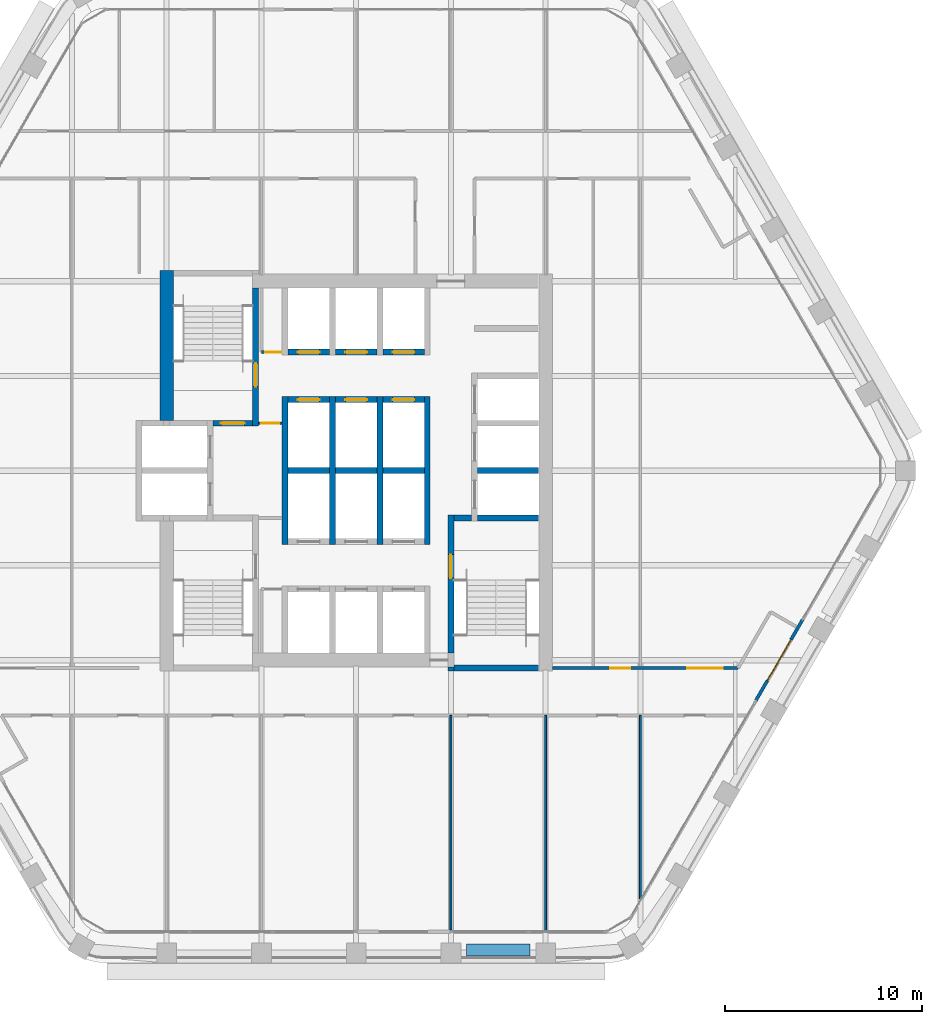
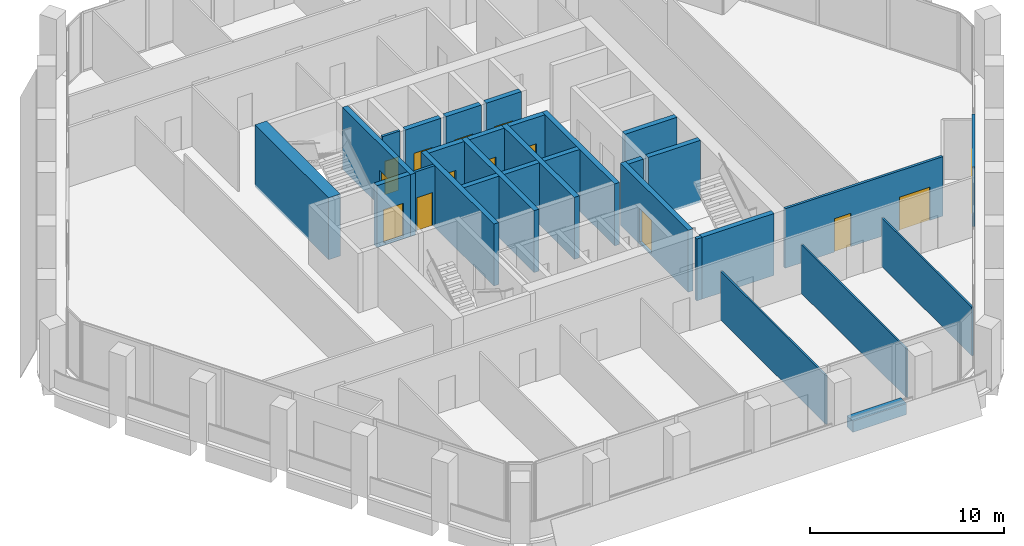
# One storey, part 10 of 15: 30 walls, 14 doors, 14 openings.
"""IFC4 building model written with IfcOpenShell, lengths in metres."""

from ifc_helpers import new_model, si_unit, direction, frame, frame_2d, origin, place, context, subcontext, project, spatial, rectangle, extrude, material, layer, layer_set, type_object, element, fill, save


model = new_model("IFC4")

# Units and contexts
model_context = context("Model", 3, precision=1e-05, world=origin(), true_north=direction((0.0, 1.0)))
body_context = subcontext(model_context, "Body", "Model", "MODEL_VIEW")
ifc_project = project(units=[si_unit("LENGTHUNIT", "METRE"), si_unit("AREAUNIT", "SQUARE_METRE"), si_unit("VOLUMEUNIT", "CUBIC_METRE"), si_unit("PLANEANGLEUNIT", "RADIAN"), si_unit("MASSUNIT", "GRAM", prefix="KILO")], contexts=[model_context])

# Site, building, storey
site_placement = place(None, origin())
site = spatial("IfcSite", under=ifc_project, at=site_placement, CompositionType="ELEMENT")
building_placement = place(site_placement, origin())
building = spatial("IfcBuilding", under=site, at=building_placement, Name="Kolab Exchange Tower", CompositionType="ELEMENT")
storey_placement = place(building_placement, frame((0.0, 0.0, 185.60009765625)))
storey = spatial("IfcBuildingStorey", under=building, at=storey_placement, Name="L39", CompositionType="ELEMENT", Elevation=185.60009765625)

# Wall
ifc_material_1 = material(Name="Concrete C60/75", Category="concrete")
ifc_layer_1 = layer(ifc_material_1, 0.699951171875)
ifc_layer_set_1 = layer_set([ifc_layer_1], Name="Concrete C60/75")
wall_type_1 = type_object("IfcWallType", Name="CORE WALL 700 C60/75", PredefinedType="SHEAR", material=ifc_layer_set_1)
wall_1_placement = place(storey_placement, frame((-9.60009765625, 2.550048828125, -0.150146484375), z_axis=(0.0, 0.0, 1.0), x_axis=(0.0, 1.0, 0.0)))
element("IfcWall", 1, at=wall_1_placement, inside=storey, type_object=wall_type_1, Name="wall/L39/core/037", PredefinedType="SHEAR", context=body_context, shape_type="SweptSolid", body=[
    extrude(rectangle(XDim=7.599853515625, YDim=0.699951171875, at=frame_2d((3.7998046875, 0.0))), origin(), (0.0, 0.0, 1.0), 3.900146484375),
])

# Wall, opening, door
ifc_material_2 = material(Name="Aluminium EN AW-6063 T6", Category="aluminium")
ifc_layer_2 = layer(ifc_material_2, 0.159912109375)
ifc_layer_set_2 = layer_set([ifc_layer_2], Name="Aluminium EN AW-6063 T6")
wall_type_2 = type_object("IfcWallType", Name="DOOR SURROUND WALL 160 ALUMINIUM FRAMED", PredefinedType="PARTITIONING", material=ifc_layer_set_2)
wall_2_placement = place(storey_placement, frame((22.61669921875, -7.5498046875, 0.0), z_axis=(0.0, 0.0, 1.0), x_axis=(-0.5000167099, -0.866015756104, 0.0)))
wall_2 = element("IfcWall", 2, at=wall_2_placement, inside=storey, type_object=wall_type_2, Name="Door surround wall", PredefinedType="PARTITIONING", context=body_context, shape_type="SweptSolid", body=[
    extrude(rectangle(XDim=4.739990234375, YDim=0.159912109375, at=frame_2d((2.3701171875, 0.0))), origin(), (0.0, 0.0, 1.0), 3.75),
])
opening_1_placement = place(wall_2_placement, frame((1.169921875, 0.0, 0.0)))
opening_1 = element("IfcOpeningElement", 3, at=opening_1_placement, cuts=wall_2, Name="Opening GD1-066", PredefinedType="OPENING", context=body_context, shape_type="SweptSolid", body=[
    extrude(rectangle(XDim=2.39990234375, YDim=2.39990234375, at=frame_2d((1.199951171875, 1.199951171875))), frame((0.0, 0.08984375, 0.0), z_axis=(0.0, -1.0, 0.0), x_axis=(1.0, 0.0, 0.0)), (0.0, 0.0, 1.0), 0.179931640625),
])
door_type_1 = type_object("IfcDoorType", Name="LOGGIA SLIDING GLASS DOOR 2400 X 2400", OperationType="DOUBLE_DOOR_SINGLE_SWING", PredefinedType="DOOR", material=ifc_material_2)
door_1_placement = place(opening_1_placement, origin())
door_1 = element("IfcDoor", 4, at=door_1_placement, inside=storey, type_object=door_type_1, Name="Loggia door", OperationType="DOUBLE_DOOR_SLIDING", OverallHeight=2.39990234375, OverallWidth=2.39990234375, PredefinedType="DOOR", context=body_context, shape_type="SweptSolid", body=[
    extrude(rectangle(XDim=2.39990234375, YDim=2.39990234375, at=frame_2d((1.199951171875, 1.199951171875))), frame((0.0, 0.02490234375, 0.0), z_axis=(0.0, -1.0, 0.0), x_axis=(1.0, 0.0, 0.0)), (0.0, 0.0, 1.0), 0.050048828125),
])
fill(opening_1, door_1)

# Walls
ifc_material_3 = material(Name="Concrete C50/60", Category="concrete")
ifc_layer_3 = layer(ifc_material_3, 0.300048828125)
ifc_layer_set_3 = layer_set([ifc_layer_3], Name="Concrete C50/60")
wall_type_3 = type_object("IfcWallType", Name="LIFT SHAFT WALL 300 C50/60", PredefinedType="STANDARD", material=ifc_layer_set_3)
wall_3_placement = place(storey_placement, frame((-3.449951171875, 0.0, -0.150146484375), z_axis=(0.0, 0.0, 1.0), x_axis=(1.0, 0.0, 0.0)))
element("IfcWall", 5, at=wall_3_placement, inside=storey, type_object=wall_type_3, Name="wall/L39/core/015", PredefinedType="STANDARD", context=body_context, shape_type="SweptSolid", body=[
    extrude(rectangle(XDim=2.099853515625, YDim=0.300048828125, at=frame_2d((1.0498046875, 0.0))), origin(), (0.0, 0.0, 1.0), 3.900146484375),
])
wall_4_placement = place(storey_placement, frame((-1.050048828125, 0.0, -0.150146484375), z_axis=(0.0, 0.0, 1.0), x_axis=(1.0, 0.0, 0.0)))
element("IfcWall", 6, at=wall_4_placement, inside=storey, type_object=wall_type_3, Name="wall/L39/core/016", PredefinedType="STANDARD", context=body_context, shape_type="SweptSolid", body=[
    extrude(rectangle(XDim=2.10009765625, YDim=0.300048828125, at=frame_2d((1.050048828125, 0.0))), origin(), (0.0, 0.0, 1.0), 3.900146484375),
])
wall_5_placement = place(storey_placement, frame((1.35009765625, 0.0, -0.150146484375), z_axis=(0.0, 0.0, 1.0), x_axis=(1.0, 0.0, 0.0)))
element("IfcWall", 7, at=wall_5_placement, inside=storey, type_object=wall_type_3, Name="wall/L39/core/017", PredefinedType="STANDARD", context=body_context, shape_type="SweptSolid", body=[
    extrude(rectangle(XDim=2.099853515625, YDim=0.300048828125, at=frame_2d((1.0498046875, 0.0))), origin(), (0.0, 0.0, 1.0), 3.900146484375),
])
wall_6_placement = place(storey_placement, frame((6.14990234375, 0.0, -0.150146484375), z_axis=(0.0, 0.0, 1.0), x_axis=(1.0, 0.0, 0.0)))
element("IfcWall", 8, at=wall_6_placement, inside=storey, type_object=wall_type_3, Name="wall/L39/core/018", PredefinedType="STANDARD", context=body_context, shape_type="SweptSolid", body=[
    extrude(rectangle(XDim=3.10009765625, YDim=0.300048828125, at=frame_2d((1.550048828125, 0.0))), origin(), (0.0, 0.0, 1.0), 3.900146484375),
])

# Wall, opening, door
wall_7_placement = place(storey_placement, frame((-3.449951171875, 3.60009765625, -0.150146484375), z_axis=(0.0, 0.0, 1.0), x_axis=(1.0, 0.0, 0.0)))
wall_7 = element("IfcWall", 9, at=wall_7_placement, inside=storey, type_object=wall_type_3, Name="wall/L39/core/023", PredefinedType="STANDARD", context=body_context, shape_type="SweptSolid", body=[
    extrude(rectangle(XDim=2.099853515625, YDim=0.300048828125, at=frame_2d((1.0498046875, 0.0))), origin(), (0.0, 0.0, 1.0), 3.900146484375),
])
opening_2_placement = place(wall_7_placement, frame((0.5, 0.0, 0.14990234375)))
opening_2 = element("IfcOpeningElement", 10, at=opening_2_placement, cuts=wall_7, Name="Opening LD1-115", PredefinedType="OPENING", context=body_context, shape_type="SweptSolid", body=[
    extrude(rectangle(XDim=1.10009765625, YDim=2.10009765625, at=frame_2d((0.550048828125, 1.050048828125))), frame((0.0, 0.16015625, 0.0), z_axis=(0.0, -1.0, 0.0), x_axis=(1.0, 0.0, 0.0)), (0.0, 0.0, 1.0), 0.320068359375),
])
ifc_material_4 = material(Name="Stainless steel 316", Category="steel")
door_type_2 = type_object("IfcDoorType", Name="LANDING DOOR 1100 PASSENGER", OperationType="DOUBLE_DOOR_SLIDING", PredefinedType="DOOR", material=ifc_material_4)
door_2_placement = place(opening_2_placement, origin())
door_2 = element("IfcDoor", 11, at=door_2_placement, inside=storey, type_object=door_type_2, Name="Landing door HR4", OperationType="DOUBLE_DOOR_SLIDING", OverallHeight=2.10009765625, OverallWidth=1.10009765625, PredefinedType="DOOR", context=body_context, shape_type="SweptSolid", body=[
    extrude(rectangle(XDim=1.10009765625, YDim=2.10009765625, at=frame_2d((0.550048828125, 1.050048828125))), frame((0.0, 0.02490234375, 0.0), z_axis=(0.0, -1.0, 0.0), x_axis=(1.0, 0.0, 0.0)), (0.0, 0.0, 1.0), 0.050048828125),
])
fill(opening_2, door_2)

wall_8_placement = place(storey_placement, frame((-1.050048828125, 3.60009765625, -0.150146484375), z_axis=(0.0, 0.0, 1.0), x_axis=(1.0, 0.0, 0.0)))
wall_8 = element("IfcWall", 12, at=wall_8_placement, inside=storey, type_object=wall_type_3, Name="wall/L39/core/024", PredefinedType="STANDARD", context=body_context, shape_type="SweptSolid", body=[
    extrude(rectangle(XDim=2.10009765625, YDim=0.300048828125, at=frame_2d((1.050048828125, 0.0))), origin(), (0.0, 0.0, 1.0), 3.900146484375),
])
opening_3_placement = place(wall_8_placement, frame((0.5, 0.0, 0.14990234375)))
opening_3 = element("IfcOpeningElement", 13, at=opening_3_placement, cuts=wall_8, Name="Opening LD1-116", PredefinedType="OPENING", context=body_context, shape_type="SweptSolid", body=[
    extrude(rectangle(XDim=1.10009765625, YDim=2.10009765625, at=frame_2d((0.550048828125, 1.050048828125))), frame((0.0, 0.16015625, 0.0), z_axis=(0.0, -1.0, 0.0), x_axis=(1.0, 0.0, 0.0)), (0.0, 0.0, 1.0), 0.320068359375),
])
door_3_placement = place(opening_3_placement, origin())
door_3 = element("IfcDoor", 14, at=door_3_placement, inside=storey, type_object=door_type_2, Name="Landing door HR5", OperationType="DOUBLE_DOOR_SLIDING", OverallHeight=2.10009765625, OverallWidth=1.10009765625, PredefinedType="DOOR", context=body_context, shape_type="SweptSolid", body=[
    extrude(rectangle(XDim=1.10009765625, YDim=2.10009765625, at=frame_2d((0.550048828125, 1.050048828125))), frame((0.0, 0.02490234375, 0.0), z_axis=(0.0, -1.0, 0.0), x_axis=(1.0, 0.0, 0.0)), (0.0, 0.0, 1.0), 0.050048828125),
])
fill(opening_3, door_3)

wall_9_placement = place(storey_placement, frame((1.35009765625, 3.60009765625, -0.150146484375), z_axis=(0.0, 0.0, 1.0), x_axis=(1.0, 0.0, 0.0)))
wall_9 = element("IfcWall", 15, at=wall_9_placement, inside=storey, type_object=wall_type_3, Name="wall/L39/core/025", PredefinedType="STANDARD", context=body_context, shape_type="SweptSolid", body=[
    extrude(rectangle(XDim=2.099853515625, YDim=0.300048828125, at=frame_2d((1.0498046875, 0.0))), origin(), (0.0, 0.0, 1.0), 3.900146484375),
])
opening_4_placement = place(wall_9_placement, frame((0.5, 0.0, 0.14990234375)))
opening_4 = element("IfcOpeningElement", 16, at=opening_4_placement, cuts=wall_9, Name="Opening LD1-117", PredefinedType="OPENING", context=body_context, shape_type="SweptSolid", body=[
    extrude(rectangle(XDim=1.10009765625, YDim=2.10009765625, at=frame_2d((0.550048828125, 1.050048828125))), frame((0.0, 0.16015625, 0.0), z_axis=(0.0, -1.0, 0.0), x_axis=(1.0, 0.0, 0.0)), (0.0, 0.0, 1.0), 0.320068359375),
])
door_4_placement = place(opening_4_placement, origin())
door_4 = element("IfcDoor", 17, at=door_4_placement, inside=storey, type_object=door_type_2, Name="Landing door HR6", OperationType="DOUBLE_DOOR_SLIDING", OverallHeight=2.10009765625, OverallWidth=1.10009765625, PredefinedType="DOOR", context=body_context, shape_type="SweptSolid", body=[
    extrude(rectangle(XDim=1.10009765625, YDim=2.10009765625, at=frame_2d((0.550048828125, 1.050048828125))), frame((0.0, 0.02490234375, 0.0), z_axis=(0.0, -1.0, 0.0), x_axis=(1.0, 0.0, 0.0)), (0.0, 0.0, 1.0), 0.050048828125),
])
fill(opening_4, door_4)

wall_10_placement = place(storey_placement, frame((-3.449951171875, 6.0, -0.150146484375), z_axis=(0.0, 0.0, 1.0), x_axis=(1.0, 0.0, 0.0)))
wall_10 = element("IfcWall", 18, at=wall_10_placement, inside=storey, type_object=wall_type_3, Name="wall/L39/core/027", PredefinedType="STANDARD", context=body_context, shape_type="SweptSolid", body=[
    extrude(rectangle(XDim=2.099853515625, YDim=0.300048828125, at=frame_2d((1.0498046875, 0.0))), origin(), (0.0, 0.0, 1.0), 3.900146484375),
])
opening_5_placement = place(wall_10_placement, frame((0.5, 0.0, 0.14990234375)))
opening_5 = element("IfcOpeningElement", 19, at=opening_5_placement, cuts=wall_10, Name="Opening LD1-109", PredefinedType="OPENING", context=body_context, shape_type="SweptSolid", body=[
    extrude(rectangle(XDim=1.10009765625, YDim=2.10009765625, at=frame_2d((0.550048828125, 1.050048828125))), frame((0.0, 0.16015625, 0.0), z_axis=(0.0, -1.0, 0.0), x_axis=(1.0, 0.0, 0.0)), (0.0, 0.0, 1.0), 0.320068359375),
])
door_5_placement = place(opening_5_placement, origin())
door_5 = element("IfcDoor", 20, at=door_5_placement, inside=storey, type_object=door_type_2, Name="Landing door HR1", OperationType="DOUBLE_DOOR_SLIDING", OverallHeight=2.10009765625, OverallWidth=1.10009765625, PredefinedType="DOOR", context=body_context, shape_type="SweptSolid", body=[
    extrude(rectangle(XDim=1.10009765625, YDim=2.10009765625, at=frame_2d((0.550048828125, 1.050048828125))), frame((0.0, 0.02490234375, 0.0), z_axis=(0.0, -1.0, 0.0), x_axis=(1.0, 0.0, 0.0)), (0.0, 0.0, 1.0), 0.050048828125),
])
fill(opening_5, door_5)

wall_11_placement = place(storey_placement, frame((-1.050048828125, 6.0, -0.150146484375), z_axis=(0.0, 0.0, 1.0), x_axis=(1.0, 0.0, 0.0)))
wall_11 = element("IfcWall", 21, at=wall_11_placement, inside=storey, type_object=wall_type_3, Name="wall/L39/core/028", PredefinedType="STANDARD", context=body_context, shape_type="SweptSolid", body=[
    extrude(rectangle(XDim=2.10009765625, YDim=0.300048828125, at=frame_2d((1.050048828125, 0.0))), origin(), (0.0, 0.0, 1.0), 3.900146484375),
])
opening_6_placement = place(wall_11_placement, frame((0.5, 0.0, 0.14990234375)))
opening_6 = element("IfcOpeningElement", 22, at=opening_6_placement, cuts=wall_11, Name="Opening LD1-113", PredefinedType="OPENING", context=body_context, shape_type="SweptSolid", body=[
    extrude(rectangle(XDim=1.10009765625, YDim=2.10009765625, at=frame_2d((0.550048828125, 1.050048828125))), frame((0.0, 0.16015625, 0.0), z_axis=(0.0, -1.0, 0.0), x_axis=(1.0, 0.0, 0.0)), (0.0, 0.0, 1.0), 0.320068359375),
])
door_6_placement = place(opening_6_placement, origin())
door_6 = element("IfcDoor", 23, at=door_6_placement, inside=storey, type_object=door_type_2, Name="Landing door HR2", OperationType="DOUBLE_DOOR_SLIDING", OverallHeight=2.10009765625, OverallWidth=1.10009765625, PredefinedType="DOOR", context=body_context, shape_type="SweptSolid", body=[
    extrude(rectangle(XDim=1.10009765625, YDim=2.10009765625, at=frame_2d((0.550048828125, 1.050048828125))), frame((0.0, 0.02490234375, 0.0), z_axis=(0.0, -1.0, 0.0), x_axis=(1.0, 0.0, 0.0)), (0.0, 0.0, 1.0), 0.050048828125),
])
fill(opening_6, door_6)

wall_12_placement = place(storey_placement, frame((1.35009765625, 6.0, -0.150146484375), z_axis=(0.0, 0.0, 1.0), x_axis=(1.0, 0.0, 0.0)))
wall_12 = element("IfcWall", 24, at=wall_12_placement, inside=storey, type_object=wall_type_3, Name="wall/L39/core/029", PredefinedType="STANDARD", context=body_context, shape_type="SweptSolid", body=[
    extrude(rectangle(XDim=2.099853515625, YDim=0.300048828125, at=frame_2d((1.0498046875, 0.0))), origin(), (0.0, 0.0, 1.0), 3.900146484375),
])
opening_7_placement = place(wall_12_placement, frame((0.5, 0.0, 0.14990234375)))
opening_7 = element("IfcOpeningElement", 25, at=opening_7_placement, cuts=wall_12, Name="Opening LD1-114", PredefinedType="OPENING", context=body_context, shape_type="SweptSolid", body=[
    extrude(rectangle(XDim=1.10009765625, YDim=2.10009765625, at=frame_2d((0.550048828125, 1.050048828125))), frame((0.0, 0.16015625, 0.0), z_axis=(0.0, -1.0, 0.0), x_axis=(1.0, 0.0, 0.0)), (0.0, 0.0, 1.0), 0.320068359375),
])
door_7_placement = place(opening_7_placement, origin())
door_7 = element("IfcDoor", 26, at=door_7_placement, inside=storey, type_object=door_type_2, Name="Landing door HR3", OperationType="DOUBLE_DOOR_SLIDING", OverallHeight=2.10009765625, OverallWidth=1.10009765625, PredefinedType="DOOR", context=body_context, shape_type="SweptSolid", body=[
    extrude(rectangle(XDim=1.10009765625, YDim=2.10009765625, at=frame_2d((0.550048828125, 1.050048828125))), frame((0.0, 0.02490234375, 0.0), z_axis=(0.0, -1.0, 0.0), x_axis=(1.0, 0.0, 0.0)), (0.0, 0.0, 1.0), 0.050048828125),
])
fill(opening_7, door_7)

# Walls
for number, where, z_axis, x_axis, name in (
    (27, (-3.60009765625, -3.75, -0.150146484375), (0.0, 0.0, 1.0), (0.0, 1.0, 0.0), "wall/L39/core/044"),
    (28, (-1.199951171875, -3.75, -0.150146484375), (0.0, 0.0, 1.0), (0.0, 1.0, 0.0), "wall/L39/core/047"),
    (29, (1.199951171875, -3.75, -0.150146484375), (0.0, 0.0, 1.0), (0.0, 1.0, 0.0), "wall/L39/core/050"),
    (30, (3.60009765625, -3.75, -0.150146484375), (0.0, 0.0, 1.0), (0.0, 1.0, 0.0), "wall/L39/core/053"),
):
    element("IfcWall", number, at=place(storey_placement, frame(where, z_axis=z_axis, x_axis=x_axis)), inside=storey, type_object=wall_type_3, Name=name, PredefinedType="STANDARD", context=body_context, shape_type="SweptSolid", body=[
        extrude(rectangle(XDim=7.5, YDim=0.300048828125, at=frame_2d((3.75, 0.0))), origin(), (0.0, 0.0, 1.0), 3.900146484375),
    ])
ifc_material_5 = material(Name="Gypsum board", Category="gypsum")
ifc_layer_4 = layer(ifc_material_5, 0.10009765625)
ifc_layer_set_4 = layer_set([ifc_layer_4], Name="Gypsum board")
wall_type_4 = type_object("IfcWallType", Name="PARTITION 100", PredefinedType="PARTITIONING", material=ifc_layer_set_4)
wall_13_placement = place(storey_placement, frame((14.39990234375, -21.701416015625, 0.0), z_axis=(0.0, 0.0, 1.0), x_axis=(0.0, 1.0, 0.0)))
element("IfcWall", 31, at=wall_13_placement, inside=storey, type_object=wall_type_4, Name="Partition 000", PredefinedType="PARTITIONING", context=body_context, shape_type="SweptSolid", body=[
    extrude(rectangle(XDim=9.301513671875, YDim=0.10009765625, at=frame_2d((4.65087890625, 0.0))), origin(), (0.0, 0.0, 1.0), 3.06591796875),
])
wall_14_placement = place(storey_placement, frame((9.60009765625, -23.271484375, 0.0), z_axis=(0.0, 0.0, 1.0), x_axis=(0.0, 1.0, 0.0)))
element("IfcWall", 32, at=wall_14_placement, inside=storey, type_object=wall_type_4, Name="Partition 003", PredefinedType="PARTITIONING", context=body_context, shape_type="SweptSolid", body=[
    extrude(rectangle(XDim=10.87158203125, YDim=0.10009765625, at=frame_2d((5.435791015625, 0.0))), origin(), (0.0, 0.0, 1.0), 3.06591796875),
])
wall_15_placement = place(storey_placement, frame((4.800048828125, -23.281494140625, 0.0), z_axis=(0.0, 0.0, 1.0), x_axis=(0.0, 1.0, 0.0)))
element("IfcWall", 33, at=wall_15_placement, inside=storey, type_object=wall_type_4, Name="Partition 007", PredefinedType="PARTITIONING", context=body_context, shape_type="SweptSolid", body=[
    extrude(rectangle(XDim=10.881591796875, YDim=0.10009765625, at=frame_2d((5.44091796875, 0.0))), origin(), (0.0, 0.0, 1.0), 3.06591796875),
])

# Wall, openings, doors
ifc_layer_5 = layer(ifc_material_5, 0.14990234375)
ifc_layer_set_5 = layer_set([ifc_layer_5], Name="Gypsum board")
wall_type_5 = type_object("IfcWallType", Name="PARTITION 150 FIRE-RATED", PredefinedType="PARTITIONING", material=ifc_layer_set_5)
wall_16_placement = place(storey_placement, frame((9.949951171875, -10.0, 0.0), z_axis=(0.0, 0.0, 1.0), x_axis=(1.0, 0.0, 0.0)))
wall_16 = element("IfcWall", 34, at=wall_16_placement, inside=storey, type_object=wall_type_5, Name="Partition 031", PredefinedType="PARTITIONING", context=body_context, shape_type="SweptSolid", body=[
    extrude(rectangle(XDim=9.404541015625, YDim=0.14990234375, at=frame_2d((4.7021484375, 0.0))), origin(), (0.0, 0.0, 1.0), 3.75),
])
opening_8_placement = place(wall_16_placement, frame((2.925048828125, 0.0, 0.0)))
opening_8 = element("IfcOpeningElement", 35, at=opening_8_placement, cuts=wall_16, Name="Opening D1-535", PredefinedType="OPENING", context=body_context, shape_type="SweptSolid", body=[
    extrude(rectangle(XDim=1.0, YDim=2.10009765625, at=frame_2d((0.5, 1.050048828125))), frame((0.0, 0.0849609375, 0.0), z_axis=(0.0, -1.0, 0.0), x_axis=(1.0, 0.0, 0.0)), (0.0, 0.0, 1.0), 0.169921875),
])
opening_9_placement = place(wall_16_placement, frame((6.81640625, 0.0, 0.0)))
opening_9 = element("IfcOpeningElement", 36, at=opening_9_placement, cuts=wall_16, Name="Opening D2-055", PredefinedType="OPENING", context=body_context, shape_type="SweptSolid", body=[
    extrude(rectangle(XDim=1.800048828125, YDim=2.10009765625, at=frame_2d((0.89990234375, 1.050048828125))), frame((0.0, 0.0849609375, 0.0), z_axis=(0.0, -1.0, 0.0), x_axis=(1.0, 0.0, 0.0)), (0.0, 0.0, 1.0), 0.169921875),
])
ifc_material_6 = material(Name="Steel S235", Category="steel")
door_type_3 = type_object("IfcDoorType", Name="DOUBLE DOOR 1800 FD60", OperationType="DOUBLE_DOOR_SINGLE_SWING", PredefinedType="DOOR", material=ifc_material_6)
door_8_placement = place(opening_9_placement, origin())
door_8 = element("IfcDoor", 37, at=door_8_placement, inside=storey, type_object=door_type_3, Name="Door L39-050", OperationType="SINGLE_SWING_RIGHT", OverallHeight=2.10009765625, OverallWidth=1.800048828125, PredefinedType="DOOR", context=body_context, shape_type="SweptSolid", body=[
    extrude(rectangle(XDim=1.800048828125, YDim=2.10009765625, at=frame_2d((0.89990234375, 1.050048828125))), frame((0.0, 0.02490234375, 0.0), z_axis=(0.0, -1.0, 0.0), x_axis=(1.0, 0.0, 0.0)), (0.0, 0.0, 1.0), 0.050048828125),
])
fill(opening_9, door_8)
door_type_4 = type_object("IfcDoorType", Name="FLUSH DOOR 1000 FD60", OperationType="SINGLE_SWING_LEFT", PredefinedType="DOOR", material=ifc_material_6)
door_9_placement = place(opening_8_placement, origin())
door_9 = element("IfcDoor", 38, at=door_9_placement, inside=storey, type_object=door_type_4, Name="Door L39-049", OperationType="SINGLE_SWING_RIGHT", OverallHeight=2.10009765625, OverallWidth=1.0, PredefinedType="DOOR", context=body_context, shape_type="SweptSolid", body=[
    extrude(rectangle(XDim=1.0, YDim=2.10009765625, at=frame_2d((0.5, 1.050048828125))), frame((0.0, 0.02490234375, 0.0), z_axis=(0.0, -1.0, 0.0), x_axis=(1.0, 0.0, 0.0)), (0.0, 0.0, 1.0), 0.050048828125),
])
fill(opening_8, door_9)

# Wall, opening, door
wall_17_placement = place(storey_placement, frame((-4.800048828125, 6.0, 0.0), z_axis=(0.0, 0.0, 1.0), x_axis=(1.0, 0.0, 0.0)))
wall_17 = element("IfcWall", 39, at=wall_17_placement, inside=storey, type_object=wall_type_5, Name="Partition 033", PredefinedType="PARTITIONING", context=body_context, shape_type="SweptSolid", body=[
    extrude(rectangle(XDim=1.050048828125, YDim=0.14990234375, at=frame_2d((0.52490234375, 0.0))), origin(), (0.0, 0.0, 1.0), 3.75),
])
opening_10_placement = place(wall_17_placement, frame((0.199951171875, 0.0, 0.0)))
opening_10 = element("IfcOpeningElement", 40, at=opening_10_placement, cuts=wall_17, Name="Opening D7-032", PredefinedType="OPENING", context=body_context, shape_type="SweptSolid", body=[
    extrude(rectangle(XDim=0.800048828125, YDim=2.10009765625, at=frame_2d((0.39990234375, 1.050048828125))), frame((0.0, 0.0849609375, 0.0), z_axis=(0.0, -1.0, 0.0), x_axis=(1.0, 0.0, 0.0)), (0.0, 0.0, 1.0), 0.169921875),
])
door_type_5 = type_object("IfcDoorType", Name="FLUSH DOOR 800 FD60", OperationType="SINGLE_SWING_LEFT", PredefinedType="DOOR", material=ifc_material_6)
door_10_placement = place(opening_10_placement, origin())
door_10 = element("IfcDoor", 41, at=door_10_placement, inside=storey, type_object=door_type_5, Name="Door L39-023", OperationType="SINGLE_SWING_RIGHT", OverallHeight=2.10009765625, OverallWidth=0.800048828125, PredefinedType="DOOR", context=body_context, shape_type="SweptSolid", body=[
    extrude(rectangle(XDim=0.800048828125, YDim=2.10009765625, at=frame_2d((0.39990234375, 1.050048828125))), frame((0.0, 0.02490234375, 0.0), z_axis=(0.0, -1.0, 0.0), x_axis=(1.0, 0.0, 0.0)), (0.0, 0.0, 1.0), 0.050048828125),
])
fill(opening_10, door_10)

wall_18_placement = place(storey_placement, frame((-4.949951171875, 2.39990234375, 0.0), z_axis=(0.0, 0.0, 1.0), x_axis=(1.0, 0.0, 0.0)))
wall_18 = element("IfcWall", 42, at=wall_18_placement, inside=storey, type_object=wall_type_5, Name="Fire partition", PredefinedType="PARTITIONING", context=body_context, shape_type="SweptSolid", body=[
    extrude(rectangle(XDim=1.199951171875, YDim=0.14990234375, at=frame_2d((0.60009765625, 0.0))), origin(), (0.0, 0.0, 1.0), 3.75),
])
opening_11_placement = place(wall_18_placement, frame((0.14990234375, 0.0, 0.0)))
opening_11 = element("IfcOpeningElement", 43, at=opening_11_placement, cuts=wall_18, Name="Opening D6-288", PredefinedType="OPENING", context=body_context, shape_type="SweptSolid", body=[
    extrude(rectangle(XDim=0.89990234375, YDim=2.10009765625, at=frame_2d((0.449951171875, 1.050048828125))), frame((0.0, 0.0849609375, 0.0), z_axis=(0.0, -1.0, 0.0), x_axis=(1.0, 0.0, 0.0)), (0.0, 0.0, 1.0), 0.169921875),
])
door_type_6 = type_object("IfcDoorType", Name="CORE DOOR 900 EI 120", OperationType="SINGLE_SWING_LEFT", PredefinedType="DOOR", material=ifc_material_6)
door_11_placement = place(opening_11_placement, frame((0.89990234375, 0.0, 0.0), z_axis=(0.0, 0.0, 1.0), x_axis=(-1.0, 0.0, 0.0)))
door_11 = element("IfcDoor", 44, at=door_11_placement, inside=storey, type_object=door_type_6, Name="Firefighting lobby door", OperationType="SINGLE_SWING_RIGHT", OverallHeight=2.10009765625, OverallWidth=0.89990234375, PredefinedType="DOOR", context=body_context, shape_type="SweptSolid", body=[
    extrude(rectangle(XDim=0.89990234375, YDim=2.10009765625, at=frame_2d((0.449951171875, 1.050048828125))), frame((0.0, 0.02490234375, 0.0), z_axis=(0.0, -1.0, 0.0), x_axis=(1.0, 0.0, 0.0)), (0.0, 0.0, 1.0), 0.050048828125),
])
fill(opening_11, door_11)

# Walls
ifc_material_7 = material(Name="Granite facing", Category="masonry")
ifc_layer_6 = layer(ifc_material_7, 0.0400390625)
ifc_material_8 = material(Name="Concrete C40/50 precast", Category="concrete")
ifc_layer_7 = layer(ifc_material_8, 0.56005859375)
ifc_layer_set_6 = layer_set([ifc_layer_6, ifc_layer_7], Name="Concrete C40/50 precast")
wall_type_6 = type_object("IfcWallType", Name="PLANTER BOX 600 X 700 SOIL DEPTH 550", PredefinedType="USERDEFINED", material=ifc_layer_set_6)
wall_19_placement = place(storey_placement, frame((8.800048828125, -24.29150390625, 0.0), z_axis=(0.0, 0.0, 1.0), x_axis=(-1.0, 0.0, 0.0)))
element("IfcWall", 45, at=wall_19_placement, inside=storey, type_object=wall_type_6, Name="Planter", ObjectType="PLANTER", PredefinedType="USERDEFINED", context=body_context, shape_type="SweptSolid", body=[
    extrude(rectangle(XDim=3.199951171875, YDim=0.60009765625, at=frame_2d((1.60009765625, 0.0))), origin(), (0.0, 0.0, 1.0), 0.699951171875),
])
ifc_layer_8 = layer(ifc_material_3, 0.300048828125)
ifc_layer_set_7 = layer_set([ifc_layer_8], Name="Concrete C50/60")
wall_type_7 = type_object("IfcWallType", Name="STAIR ENCLOSURE WALL 300 C50/60", PredefinedType="STANDARD", material=ifc_layer_set_7)
wall_20_placement = place(storey_placement, frame((4.949951171875, -10.0, -0.150146484375), z_axis=(0.0, 0.0, 1.0), x_axis=(1.0, 0.0, 0.0)))
element("IfcWall", 46, at=wall_20_placement, inside=storey, type_object=wall_type_7, Name="wall/L39/core/001", PredefinedType="STANDARD", context=body_context, shape_type="SweptSolid", body=[
    extrude(rectangle(XDim=4.300048828125, YDim=0.300048828125, at=frame_2d((2.14990234375, 0.0))), origin(), (0.0, 0.0, 1.0), 3.900146484375),
])
wall_21_placement = place(storey_placement, frame((4.949951171875, -2.39990234375, -0.150146484375), z_axis=(0.0, 0.0, 1.0), x_axis=(1.0, 0.0, 0.0)))
element("IfcWall", 47, at=wall_21_placement, inside=storey, type_object=wall_type_7, Name="wall/L39/core/012", PredefinedType="STANDARD", context=body_context, shape_type="SweptSolid", body=[
    extrude(rectangle(XDim=0.900146484375, YDim=0.300048828125, at=frame_2d((0.4501953125, 0.0))), origin(), (0.0, 0.0, 1.0), 3.900146484375),
])
wall_22_placement = place(storey_placement, frame((6.14990234375, -2.39990234375, -0.150146484375), z_axis=(0.0, 0.0, 1.0), x_axis=(1.0, 0.0, 0.0)))
element("IfcWall", 48, at=wall_22_placement, inside=storey, type_object=wall_type_7, Name="wall/L39/core/013", PredefinedType="STANDARD", context=body_context, shape_type="SweptSolid", body=[
    extrude(rectangle(XDim=3.10009765625, YDim=0.300048828125, at=frame_2d((1.550048828125, 0.0))), origin(), (0.0, 0.0, 1.0), 3.900146484375),
])

# Wall, opening, door
wall_23_placement = place(storey_placement, frame((-7.25, 2.39990234375, -0.150146484375), z_axis=(0.0, 0.0, 1.0), x_axis=(1.0, 0.0, 0.0)))
wall_23 = element("IfcWall", 49, at=wall_23_placement, inside=storey, type_object=wall_type_7, Name="wall/L39/core/021", PredefinedType="STANDARD", context=body_context, shape_type="SweptSolid", body=[
    extrude(rectangle(XDim=2.0, YDim=0.300048828125, at=frame_2d((1.0, 0.0))), origin(), (0.0, 0.0, 1.0), 3.900146484375),
])
opening_12_placement = place(wall_23_placement, frame((0.39990234375, 0.0, 0.14990234375)))
opening_12 = element("IfcOpeningElement", 50, at=opening_12_placement, cuts=wall_23, Name="Opening D4-065", PredefinedType="OPENING", context=body_context, shape_type="SweptSolid", body=[
    extrude(rectangle(XDim=1.199951171875, YDim=2.10009765625, at=frame_2d((0.60009765625, 1.050048828125))), frame((0.0, 0.16015625, 0.0), z_axis=(0.0, -1.0, 0.0), x_axis=(1.0, 0.0, 0.0)), (0.0, 0.0, 1.0), 0.320068359375),
])
door_type_7 = type_object("IfcDoorType", Name="STAIR DOOR 1200 EI 120", OperationType="SINGLE_SWING_LEFT", PredefinedType="DOOR", material=ifc_material_6)
door_12_placement = place(opening_12_placement, origin())
door_12 = element("IfcDoor", 51, at=door_12_placement, inside=storey, type_object=door_type_7, Name="Stair 1 door", OperationType="SINGLE_SWING_RIGHT", OverallHeight=2.10009765625, OverallWidth=1.199951171875, PredefinedType="DOOR", context=body_context, shape_type="SweptSolid", body=[
    extrude(rectangle(XDim=1.199951171875, YDim=2.10009765625, at=frame_2d((0.60009765625, 1.050048828125))), frame((0.0, 0.02490234375, 0.0), z_axis=(0.0, -1.0, 0.0), x_axis=(1.0, 0.0, 0.0)), (0.0, 0.0, 1.0), 0.050048828125),
])
fill(opening_12, door_12)

wall_24_placement = place(storey_placement, frame((-5.10009765625, 2.25, -0.150146484375), z_axis=(0.0, 0.0, 1.0), x_axis=(0.0, 1.0, 0.0)))
wall_24 = element("IfcWall", 52, at=wall_24_placement, inside=storey, type_object=wall_type_7, Name="wall/L39/core/041", PredefinedType="STANDARD", context=body_context, shape_type="SweptSolid", body=[
    extrude(rectangle(XDim=7.0, YDim=0.300048828125, at=frame_2d((3.5, 0.0))), origin(), (0.0, 0.0, 1.0), 3.900146484375),
])
opening_13_placement = place(wall_24_placement, frame((2.0, 0.0, 0.14990234375)))
opening_13 = element("IfcOpeningElement", 53, at=opening_13_placement, cuts=wall_24, Name="Opening D4-066", PredefinedType="OPENING", context=body_context, shape_type="SweptSolid", body=[
    extrude(rectangle(XDim=1.199951171875, YDim=2.10009765625, at=frame_2d((0.60009765625, 1.050048828125))), frame((0.0, 0.16015625, 0.0), z_axis=(0.0, -1.0, 0.0), x_axis=(1.0, 0.0, 0.0)), (0.0, 0.0, 1.0), 0.320068359375),
])
door_13_placement = place(opening_13_placement, origin())
door_13 = element("IfcDoor", 54, at=door_13_placement, inside=storey, type_object=door_type_7, Name="Stair 1 door", OperationType="SINGLE_SWING_LEFT", OverallHeight=2.10009765625, OverallWidth=1.199951171875, PredefinedType="DOOR", context=body_context, shape_type="SweptSolid", body=[
    extrude(rectangle(XDim=1.199951171875, YDim=2.10009765625, at=frame_2d((0.60009765625, 1.050048828125))), frame((0.0, 0.02490234375, 0.0), z_axis=(0.0, -1.0, 0.0), x_axis=(1.0, 0.0, 0.0)), (0.0, 0.0, 1.0), 0.050048828125),
])
fill(opening_13, door_13)

# Wall
wall_25_placement = place(storey_placement, frame((4.800048828125, -10.14990234375, -0.150146484375), z_axis=(0.0, 0.0, 1.0), x_axis=(0.0, 1.0, 0.0)))
element("IfcWall", 55, at=wall_25_placement, inside=storey, type_object=wall_type_7, Name="wall/L39/core/055", PredefinedType="STANDARD", context=body_context, shape_type="SweptSolid", body=[
    extrude(rectangle(XDim=0.199951171875, YDim=0.300048828125, at=frame_2d((0.10009765625, 0.0))), origin(), (0.0, 0.0, 1.0), 3.900146484375),
])

# Wall, opening, door
wall_26_placement = place(storey_placement, frame((4.800048828125, -9.25, -0.150146484375), z_axis=(0.0, 0.0, 1.0), x_axis=(0.0, 1.0, 0.0)))
wall_26 = element("IfcWall", 56, at=wall_26_placement, inside=storey, type_object=wall_type_7, Name="wall/L39/core/056", PredefinedType="STANDARD", context=body_context, shape_type="SweptSolid", body=[
    extrude(rectangle(XDim=7.0, YDim=0.300048828125, at=frame_2d((3.5, 0.0))), origin(), (0.0, 0.0, 1.0), 3.900146484375),
])
opening_14_placement = place(wall_26_placement, frame((3.800048828125, 0.0, 0.14990234375)))
opening_14 = element("IfcOpeningElement", 57, at=opening_14_placement, cuts=wall_26, Name="Opening D4-067", PredefinedType="OPENING", context=body_context, shape_type="SweptSolid", body=[
    extrude(rectangle(XDim=1.199951171875, YDim=2.10009765625, at=frame_2d((0.60009765625, 1.050048828125))), frame((0.0, 0.16015625, 0.0), z_axis=(0.0, -1.0, 0.0), x_axis=(1.0, 0.0, 0.0)), (0.0, 0.0, 1.0), 0.320068359375),
])
door_14_placement = place(opening_14_placement, frame((1.199951171875, 0.0, 0.0), z_axis=(0.0, 0.0, 1.0), x_axis=(-1.0, 0.0, 0.0)))
door_14 = element("IfcDoor", 58, at=door_14_placement, inside=storey, type_object=door_type_7, Name="Stair 2 door", OperationType="SINGLE_SWING_RIGHT", OverallHeight=2.10009765625, OverallWidth=1.199951171875, PredefinedType="DOOR", context=body_context, shape_type="SweptSolid", body=[
    extrude(rectangle(XDim=1.199951171875, YDim=2.10009765625, at=frame_2d((0.60009765625, 1.050048828125))), frame((0.0, 0.02490234375, 0.0), z_axis=(0.0, -1.0, 0.0), x_axis=(1.0, 0.0, 0.0)), (0.0, 0.0, 1.0), 0.050048828125),
])
fill(opening_14, door_14)

save(model, "model.ifc")
